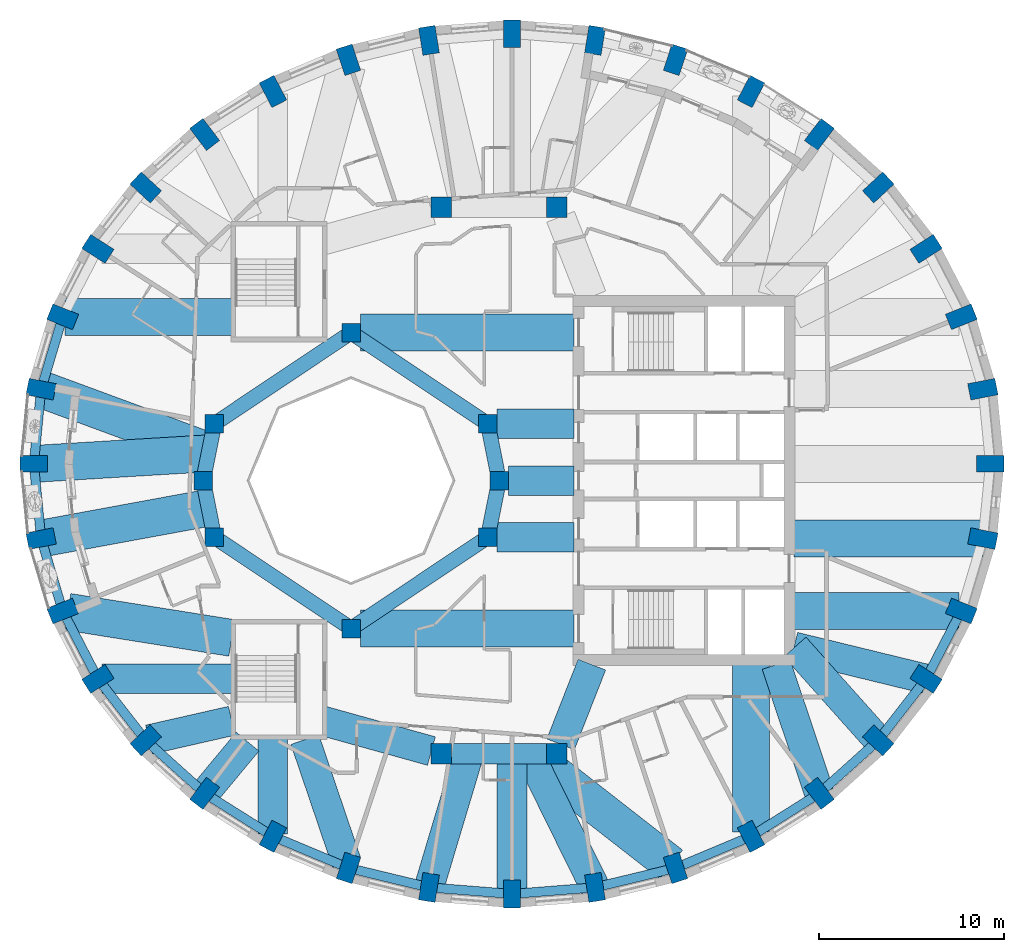
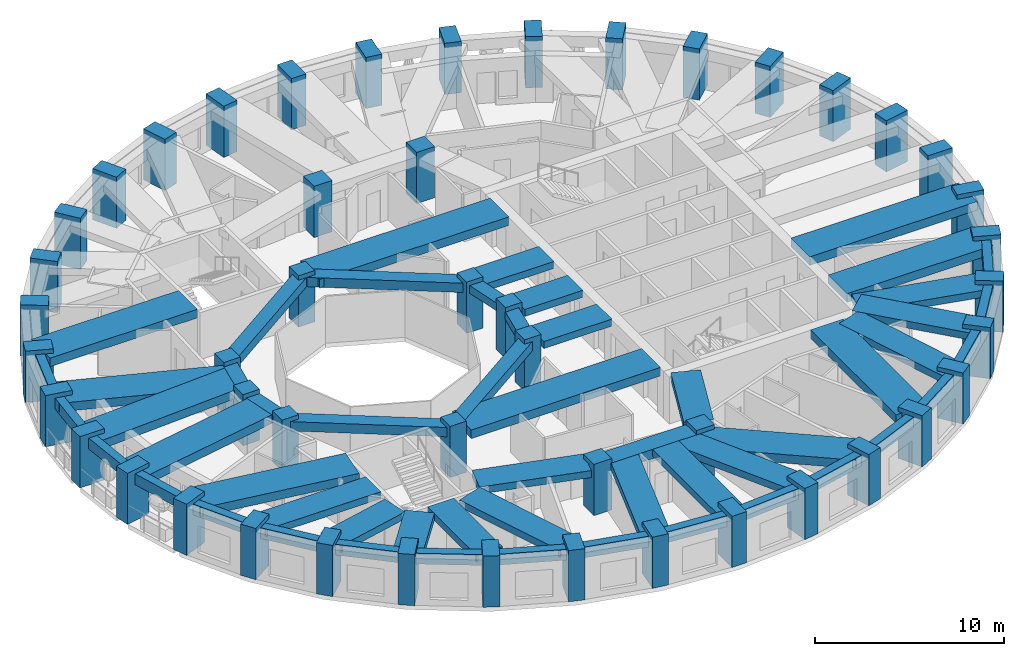
# One storey, part 1 of 12: 54 beams, 48 columns.
"""IFC4 building model written with IfcOpenShell, lengths in metres."""

from ifc_helpers import new_model, si_unit, direction, frame, origin, origin_2d, place, context, subcontext, project, spatial, rectangle, extrude, material, material_profile, profile_set, type_object, element, save


model = new_model("IFC4")

# Units and contexts
model_context = context("Model", 3, precision=1e-05, world=origin(), true_north=direction((0.0, 1.0)))
body_context = subcontext(model_context, "Body", "Model", "MODEL_VIEW")
ifc_project = project(units=[si_unit("LENGTHUNIT", "METRE"), si_unit("AREAUNIT", "SQUARE_METRE"), si_unit("VOLUMEUNIT", "CUBIC_METRE"), si_unit("PLANEANGLEUNIT", "RADIAN"), si_unit("MASSUNIT", "GRAM", prefix="KILO")], contexts=[model_context])

# Site, building, storey
site_placement = place(None, origin())
site = spatial("IfcSite", under=ifc_project, at=site_placement, CompositionType="ELEMENT")
building_placement = place(site_placement, origin())
building = spatial("IfcBuilding", under=site, at=building_placement, Name="Taillehof Tower", CompositionType="ELEMENT")
storey_placement = place(building_placement, frame((0.0, 0.0, 195.800048828125)))
storey = spatial("IfcBuildingStorey", under=building, at=storey_placement, Name="L55", CompositionType="ELEMENT", Elevation=195.800048828125)

# Columns
ifc_material_1 = material(Name="Concrete C50/60", Category="concrete")
ifc_material_profile_1 = material_profile(ifc_material_1, rectangle(XDim=1.0, YDim=1.0, at=origin_2d()), Name="RC 1000x1000")
ifc_profile_set_1 = profile_set([ifc_material_profile_1], Name="Concrete C50/60")
column_type_1 = type_object("IfcColumnType", Name="Atrium ring column C50/60 1000x1000", PredefinedType="COLUMN", material=ifc_profile_set_1)
for number, where, z_axis, x_axis, name in (
    (1, (0.0, 0.0, 0.0), (0.0, 0.0, 1.0), (1.0, 0.0, 0.0), "Column AC01"),
    (2, (-0.60888671875, 3.0615234375, 0.0), (0.0, 0.0, 1.0), (1.0, 0.0, 0.0), "Column AC02"),
    (3, (-8.0, 8.0, 0.0), (0.0, 0.0, 1.0), (1.0, 0.0, 0.0), "Column AC05"),
    (4, (-15.39111328125, 3.0615234375, 0.0), (0.0, 0.0, 1.0), (1.0, 0.0, 0.0), "Column AC08"),
    (5, (-16.0, 0.0, 0.0), (0.0, 0.0, 1.0), (1.0, 0.0, 0.0), "Column AC09"),
    (6, (-15.39111328125, -3.0615234375, 0.0), (0.0, 0.0, 1.0), (1.0, 0.0, 0.0), "Column AC10"),
    (7, (-8.0, -8.0, 0.0), (0.0, 0.0, 1.0), (1.0, 0.0, 0.0), "Column AC13"),
    (8, (-0.60888671875, -3.0615234375, 0.0), (0.0, 0.0, 1.0), (1.0, 0.0, 0.0), "Column AC16"),
):
    element("IfcColumn", number, at=place(storey_placement, frame(where, z_axis=z_axis, x_axis=x_axis)), inside=storey, type_object=column_type_1, Name=name, PredefinedType="COLUMN", context=body_context, shape_type="SweptSolid", body=[
        extrude(rectangle(XDim=1.0, YDim=1.0, at=origin_2d()), origin(), (0.0, 0.0, 1.0), 3.300048828125),
    ])
ifc_material_2 = material(Name="Concrete C50/60", Category="concrete")
ifc_material_profile_2 = material_profile(ifc_material_2, rectangle(XDim=1.10009765625, YDim=1.10009765625, at=origin_2d()), Name="RC 1100x1100")
ifc_profile_set_2 = profile_set([ifc_material_profile_2], Name="Concrete C50/60")
column_type_2 = type_object("IfcColumnType", Name="Mid-ring column C50/60 1100x1100", PredefinedType="COLUMN", material=ifc_profile_set_2)
for number, where, z_axis, x_axis, name in (
    (9, (3.125732421875, 14.772216796875, 0.0), (0.0, 0.0, 1.0), (1.0, 0.0, 0.0), "Column MC05"),
    (10, (-3.125732421875, 14.772216796875, 0.0), (0.0, 0.0, 1.0), (1.0, 0.0, 0.0), "Column MC06"),
    (11, (-3.125732421875, -14.772216796875, 0.0), (0.0, 0.0, 1.0), (1.0, 0.0, 0.0), "Column MC14"),
    (12, (3.125732421875, -14.772216796875, 0.0), (0.0, 0.0, 1.0), (1.0, 0.0, 0.0), "Column MC15"),
):
    element("IfcColumn", number, at=place(storey_placement, frame(where, z_axis=z_axis, x_axis=x_axis)), inside=storey, type_object=column_type_2, Name=name, PredefinedType="COLUMN", context=body_context, shape_type="SweptSolid", body=[
        extrude(rectangle(XDim=1.10009765625, YDim=1.10009765625, at=origin_2d()), origin(), (0.0, 0.0, 1.0), 3.300048828125),
    ])
ifc_material_3 = material(Name="Concrete C60/75", Category="concrete")
ifc_material_profile_3 = material_profile(ifc_material_3, rectangle(XDim=1.5, YDim=0.89990234375, at=origin_2d()), Name="RC 1500x900")
ifc_profile_set_3 = profile_set([ifc_material_profile_3], Name="Concrete C60/75")
column_type_3 = type_object("IfcColumnType", Name="Ring column C60/75 1500x900", PredefinedType="COLUMN", material=ifc_profile_set_3)
for number, where, z_axis, x_axis, name in (
    (13, (26.550048828125, 0.89990234375, 0.0), (0.0, 0.0, 1.0), (1.0, 0.0, 0.0), "Ring column RC01"),
    (14, (26.1572265625, 4.937255859375, 0.0), (0.0, 0.0, 1.0), (0.981433894538, 0.191800705555, 0.0), "Ring column RC02"),
    (15, (24.990966796875, 8.85205078125, 0.0), (0.0, 0.0, 1.0), (0.927385290523, 0.374107635477, 0.0), "Ring column RC03"),
    (16, (23.086669921875, 12.52490234375, 0.0), (0.0, 0.0, 1.0), (0.84231094199, 0.538991908107, 0.0), "Ring column RC04"),
    (17, (20.502197265625, 15.8447265625, 0.0), (0.0, 0.0, 1.0), (0.732270888356, 0.681013469813, 0.0), "Ring column RC05"),
    (18, (17.316162109375, 18.71044921875, 0.0), (0.0, 0.0, 1.0), (0.60360770772, 0.797281465469, 0.0), "Ring column RC06"),
    (19, (13.625, 21.03515625, 0.0), (0.0, 0.0, 1.0), (0.461993199576, 0.886883466722, 0.0), "Ring column RC07"),
    (20, (9.541259765625, 22.747802734375, 0.0), (0.0, 0.0, 1.0), (0.312001306843, 0.950081672557, 0.0), "Ring column RC08"),
    (21, (5.188720703125, 23.796875, 0.0), (0.0, 0.0, 1.0), (0.157116034607, 0.987580149491, 0.0), "Ring column RC09"),
    (22, (0.699951171875, 24.14990234375, 0.0), (0.0, 0.0, 1.0), (0.0, 1.0, 0.0), "Ring column RC10"),
    (23, (-3.788818359375, 23.796875, 0.0), (0.0, 0.0, 1.0), (-0.157116034607, 0.987580149491, 0.0), "Ring column RC11"),
    (24, (-8.14111328125, 22.747802734375, 0.0), (0.0, 0.0, 1.0), (-0.312001306843, 0.950081672557, 0.0), "Ring column RC12"),
    (25, (-12.22509765625, 21.03515625, 0.0), (0.0, 0.0, 1.0), (-0.461993199576, 0.886883466722, 0.0), "Ring column RC13"),
    (26, (-15.916015625, 18.71044921875, 0.0), (0.0, 0.0, 1.0), (-0.60360770772, 0.797281465469, 0.0), "Ring column RC14"),
    (27, (-19.102294921875, 15.8447265625, 0.0), (0.0, 0.0, 1.0), (-0.732270888356, 0.681013469813, 0.0), "Ring column RC15"),
    (28, (-21.686767578125, 12.52490234375, 0.0), (0.0, 0.0, 1.0), (-0.84231094199, 0.538991908107, 0.0), "Ring column RC16"),
    (29, (-23.591064453125, 8.85205078125, 0.0), (0.0, 0.0, 1.0), (-0.927385290523, 0.374107635477, 0.0), "Ring column RC17"),
    (30, (-24.75732421875, 4.937255859375, 0.0), (0.0, 0.0, 1.0), (-0.981433894538, 0.191800705555, 0.0), "Ring column RC18"),
    (31, (-25.14990234375, 0.89990234375, 0.0), (0.0, 0.0, 1.0), (-1.0, 0.0, 0.0), "Ring column RC19"),
    (32, (-24.75732421875, -3.13720703125, 0.0), (0.0, 0.0, 1.0), (-0.981433894538, -0.191800705555, 0.0), "Ring column RC20"),
    (33, (-23.591064453125, -7.052001953125, 0.0), (0.0, 0.0, 1.0), (-0.927385290523, -0.374107635477, 0.0), "Ring column RC21"),
    (34, (-21.686767578125, -10.72509765625, 0.0), (0.0, 0.0, 1.0), (-0.84231094199, -0.538991908107, 0.0), "Ring column RC22"),
    (35, (-19.102294921875, -14.044921875, 0.0), (0.0, 0.0, 1.0), (-0.732270888356, -0.681013469813, 0.0), "Ring column RC23"),
    (36, (-15.916015625, -16.91064453125, 0.0), (0.0, 0.0, 1.0), (-0.60360770772, -0.797281465469, 0.0), "Ring column RC24"),
    (37, (-12.22509765625, -19.235107421875, 0.0), (0.0, 0.0, 1.0), (-0.461993199576, -0.886883466722, 0.0), "Ring column RC25"),
    (38, (-8.14111328125, -20.94775390625, 0.0), (0.0, 0.0, 1.0), (-0.312001306843, -0.950081672557, 0.0), "Ring column RC26"),
    (39, (-3.788818359375, -21.996826171875, 0.0), (0.0, 0.0, 1.0), (-0.157116034607, -0.987580149491, 0.0), "Ring column RC27"),
    (40, (0.699951171875, -22.35009765625, 0.0), (0.0, 0.0, 1.0), (0.0, -1.0, 0.0), "Ring column RC28"),
    (41, (5.188720703125, -21.996826171875, 0.0), (0.0, 0.0, 1.0), (0.157116034607, -0.987580149491, 0.0), "Ring column RC29"),
    (42, (9.541259765625, -20.94775390625, 0.0), (0.0, 0.0, 1.0), (0.312001306843, -0.950081672557, 0.0), "Ring column RC30"),
    (43, (13.625, -19.235107421875, 0.0), (0.0, 0.0, 1.0), (0.461993199576, -0.886883466722, 0.0), "Ring column RC31"),
    (44, (17.316162109375, -16.91064453125, 0.0), (0.0, 0.0, 1.0), (0.60360770772, -0.797281465469, 0.0), "Ring column RC32"),
    (45, (20.502197265625, -14.044921875, 0.0), (0.0, 0.0, 1.0), (0.732270888356, -0.681013469813, 0.0), "Ring column RC33"),
    (46, (23.086669921875, -10.72509765625, 0.0), (0.0, 0.0, 1.0), (0.84231094199, -0.538991908107, 0.0), "Ring column RC34"),
    (47, (24.990966796875, -7.052001953125, 0.0), (0.0, 0.0, 1.0), (0.927385290523, -0.374107635477, 0.0), "Ring column RC35"),
    (48, (26.1572265625, -3.13720703125, 0.0), (0.0, 0.0, 1.0), (0.981433894538, -0.191800705555, 0.0), "Ring column RC36"),
):
    element("IfcColumn", number, at=place(storey_placement, frame(where, z_axis=z_axis, x_axis=x_axis)), inside=storey, type_object=column_type_3, Name=name, PredefinedType="COLUMN", context=body_context, shape_type="SweptSolid", body=[
        extrude(rectangle(XDim=1.5, YDim=0.89990234375, at=origin_2d()), origin(), (0.0, 0.0, 1.0), 3.300048828125),
    ])

# Beams
ifc_material_4 = material(Name="Concrete C50/60", Category="concrete")
ifc_material_profile_4 = material_profile(ifc_material_4, rectangle(XDim=0.800048828125, YDim=0.5, at=origin_2d()), Name="RC 800x500")
ifc_profile_set_4 = profile_set([ifc_material_profile_4], Name="Concrete C50/60")
beam_type_1 = type_object("IfcBeamType", Name="Atrium ring beam C50/60 800x500", PredefinedType="BEAM", material=ifc_profile_set_4)
for number, where, z_axis, x_axis, name in (
    (49, (0.0, 0.0, 2.77001953125), (-0.195063155143, 0.980790683839, 0.0), (-0.980790683839, -0.195063155143, 0.0), "Atrium ring beam AB01"),
    (50, (-15.39111328125, 3.0615234375, 2.77001953125), (-0.195063155143, -0.980790683839, 0.0), (0.980790683839, -0.195063155143, 0.0), "Atrium ring beam AB04"),
    (51, (-16.0, 0.0, 2.77001953125), (0.195063155143, -0.980790683839, 0.0), (0.980790683839, 0.195063155143, 0.0), "Atrium ring beam AB05"),
    (52, (-0.60888671875, -3.0615234375, 2.77001953125), (0.195063155143, 0.980790683839, 0.0), (-0.980790683839, 0.195063155143, 0.0), "Atrium ring beam AB08"),
):
    element("IfcBeam", number, at=place(storey_placement, frame(where, z_axis=z_axis, x_axis=x_axis)), inside=storey, type_object=beam_type_1, Name=name, PredefinedType="BEAM", context=body_context, shape_type="SweptSolid", body=[
        extrude(rectangle(XDim=0.800048828125, YDim=0.5, at=origin_2d()), origin(), (0.0, 0.0, 1.0), 3.12158203125),
    ])
ifc_material_5 = material(Name="Concrete C50/60", Category="concrete")
ifc_material_profile_5 = material_profile(ifc_material_5, rectangle(XDim=0.800048828125, YDim=0.60009765625, at=origin_2d()), Name="RC 800x600")
ifc_profile_set_5 = profile_set([ifc_material_profile_5], Name="Concrete C50/60")
beam_type_2 = type_object("IfcBeamType", Name="Atrium ring beam C50/60 800x600", PredefinedType="BEAM", material=ifc_profile_set_5)
for number, where, z_axis, x_axis, name in (
    (53, (-0.60888671875, 3.0615234375, 2.719970703125), (-0.831475195687, 0.555561876804, 0.0), (-0.555561876804, -0.831475195687, 0.0), "Atrium ring beam AB02"),
    (54, (-8.0, 8.0, 2.719970703125), (-0.831475195687, -0.555561876804, 0.0), (0.555561876804, -0.831475195687, 0.0), "Atrium ring beam AB03"),
    (55, (-15.39111328125, -3.0615234375, 2.719970703125), (0.831475195687, -0.555561876804, 0.0), (0.555561876804, 0.831475195687, 0.0), "Atrium ring beam AB06"),
    (56, (-8.0, -8.0, 2.719970703125), (0.831475195687, 0.555561876804, 0.0), (-0.555561876804, 0.831475195687, 0.0), "Atrium ring beam AB07"),
):
    element("IfcBeam", number, at=place(storey_placement, frame(where, z_axis=z_axis, x_axis=x_axis)), inside=storey, type_object=beam_type_2, Name=name, PredefinedType="BEAM", context=body_context, shape_type="SweptSolid", body=[
        extrude(rectangle(XDim=0.800048828125, YDim=0.60009765625, at=origin_2d()), origin(), (0.0, 0.0, 1.0), 8.88916015625),
    ])
ifc_material_6 = material(Name="Concrete C50/60", Category="concrete")
ifc_material_profile_6 = material_profile(ifc_material_6, rectangle(XDim=1.10009765625, YDim=0.60009765625, at=origin_2d()), Name="RC 1100x600")
ifc_profile_set_6 = profile_set([ifc_material_profile_6], Name="Concrete C50/60")
beam_type_3 = type_object("IfcBeamType", Name="Mid-ring beam C50/60 1100x600", PredefinedType="BEAM", material=ifc_profile_set_6)
beam_1_placement = place(storey_placement, frame((-3.125732421875, -14.772216796875, 2.719970703125), z_axis=(1.0, 0.0, 0.0), x_axis=(0.0, 1.0, 0.0)))
element("IfcBeam", 57, at=beam_1_placement, inside=storey, type_object=beam_type_3, Name="Mid-ring beam MB02", PredefinedType="BEAM", context=body_context, shape_type="SweptSolid", body=[
    extrude(rectangle(XDim=1.10009765625, YDim=0.60009765625, at=origin_2d()), origin(), (0.0, 0.0, 1.0), 6.25146484375),
])
ifc_material_7 = material(Name="Concrete C50/60", Category="concrete")
ifc_material_profile_7 = material_profile(ifc_material_7, rectangle(XDim=1.60009765625, YDim=0.449951171875, at=origin_2d()), Name="RC 1600x450")
ifc_profile_set_7 = profile_set([ifc_material_profile_7], Name="Concrete C50/60")
beam_type_4 = type_object("IfcBeamType", Name="Radial band beam C50/60 1600x450", PredefinedType="BEAM", material=ifc_profile_set_7)
beam_2_placement = place(storey_placement, frame((-21.47021484375, -10.72509765625, 2.794921875), z_axis=(1.0, 0.0, 0.0), x_axis=(0.0, 1.0, 0.0)))
element("IfcBeam", 58, at=beam_2_placement, inside=storey, type_object=beam_type_4, Name="Radial band beam RB22", PredefinedType="BEAM", context=body_context, shape_type="SweptSolid", body=[
    extrude(rectangle(XDim=1.60009765625, YDim=0.449951171875, at=origin_2d()), origin(), (0.0, 0.0, 1.0), 7.020263671875),
])
beam_3_placement = place(storey_placement, frame((-18.929931640625, -14.005615234375, 2.794921875), z_axis=(0.975193914537, 0.221352273651, 0.0), x_axis=(-0.221352273651, 0.975193914537, 0.0)))
element("IfcBeam", 59, at=beam_3_placement, inside=storey, type_object=beam_type_4, Name="Radial band beam RB23", PredefinedType="BEAM", context=body_context, shape_type="SweptSolid", body=[
    extrude(rectangle(XDim=1.60009765625, YDim=0.449951171875, at=origin_2d()), origin(), (0.0, 0.0, 1.0), 4.5927734375),
])
beam_4_placement = place(storey_placement, frame((-15.916015625, -16.91064453125, 2.794921875), z_axis=(0.638722345868, 0.769437304066, 0.0), x_axis=(-0.769437304066, 0.638722345868, 0.0)))
element("IfcBeam", 60, at=beam_4_placement, inside=storey, type_object=beam_type_4, Name="Radial band beam RB24", PredefinedType="BEAM", context=body_context, shape_type="SweptSolid", body=[
    extrude(rectangle(XDim=1.60009765625, YDim=0.449951171875, at=origin_2d()), origin(), (0.0, 0.0, 1.0), 3.6328125),
])
beam_5_placement = place(storey_placement, frame((-12.22509765625, -19.101318359375, 2.794921875), z_axis=(0.0, 1.0, 0.0), x_axis=(-1.0, 0.0, 0.0)))
element("IfcBeam", 61, at=beam_5_placement, inside=storey, type_object=beam_type_4, Name="Radial band beam RB25", PredefinedType="BEAM", context=body_context, shape_type="SweptSolid", body=[
    extrude(rectangle(XDim=1.60009765625, YDim=0.449951171875, at=origin_2d()), origin(), (0.0, 0.0, 1.0), 5.1513671875),
])
beam_6_placement = place(storey_placement, frame((-8.233642578125, -20.675537109375, 2.794921875), z_axis=(-0.321475101084, 0.94691803203, 0.0), x_axis=(-0.94691803203, -0.321475101084, 0.0)))
element("IfcBeam", 62, at=beam_6_placement, inside=storey, type_object=beam_type_4, Name="Radial band beam RB26", PredefinedType="BEAM", context=body_context, shape_type="SweptSolid", body=[
    extrude(rectangle(XDim=1.60009765625, YDim=0.449951171875, at=origin_2d()), origin(), (0.0, 0.0, 1.0), 7.042236328125),
])
beam_7_placement = place(storey_placement, frame((-3.788818359375, -21.996826171875, 2.794921875), z_axis=(0.286825122153, 0.957982958774, 0.0), x_axis=(-0.957982958774, 0.286825122153, 0.0)))
element("IfcBeam", 63, at=beam_7_placement, inside=storey, type_object=beam_type_4, Name="Radial band beam RB27", PredefinedType="BEAM", context=body_context, shape_type="SweptSolid", body=[
    extrude(rectangle(XDim=1.60009765625, YDim=0.449951171875, at=origin_2d()), origin(), (0.0, 0.0, 1.0), 7.54150390625),
])
beam_8_placement = place(storey_placement, frame((0.699951171875, -22.35009765625, 2.794921875), z_axis=(0.0, 1.0, 0.0), x_axis=(-1.0, 0.0, 0.0)))
element("IfcBeam", 64, at=beam_8_placement, inside=storey, type_object=beam_type_4, Name="Radial band beam RB28", PredefinedType="BEAM", context=body_context, shape_type="SweptSolid", body=[
    extrude(rectangle(XDim=1.60009765625, YDim=0.449951171875, at=origin_2d()), origin(), (0.0, 0.0, 1.0), 7.577880859375),
])
beam_9_placement = place(storey_placement, frame((5.188720703125, -21.996826171875, 2.794921875), z_axis=(-0.442309181818, 0.896862635903, 0.0), x_axis=(-0.896862635903, -0.442309181818, 0.0)))
element("IfcBeam", 65, at=beam_9_placement, inside=storey, type_object=beam_type_4, Name="Radial band beam RB29", PredefinedType="BEAM", context=body_context, shape_type="SweptSolid", body=[
    extrude(rectangle(XDim=1.60009765625, YDim=0.449951171875, at=origin_2d()), origin(), (0.0, 0.0, 1.0), 8.055419921875),
])
beam_10_placement = place(storey_placement, frame((17.314697265625, -16.906494140625, 2.794921875), z_axis=(-0.317775276173, 0.948166058164, 0.0), x_axis=(-0.948166058164, -0.317775276173, 0.0)))
element("IfcBeam", 66, at=beam_10_placement, inside=storey, type_object=beam_type_4, Name="Radial band beam RB32", PredefinedType="BEAM", context=body_context, shape_type="SweptSolid", body=[
    extrude(rectangle(XDim=1.60009765625, YDim=0.449951171875, at=origin_2d()), origin(), (0.0, 0.0, 1.0), 7.333984375),
])
beam_11_placement = place(storey_placement, frame((20.502197265625, -14.044921875, 2.794921875), z_axis=(-0.665845101725, 0.746090008316, 0.0), x_axis=(-0.746090008316, -0.665845101725, 0.0)))
element("IfcBeam", 67, at=beam_11_placement, inside=storey, type_object=beam_type_4, Name="Radial band beam RB33", PredefinedType="BEAM", context=body_context, shape_type="SweptSolid", body=[
    extrude(rectangle(XDim=1.60009765625, YDim=0.449951171875, at=origin_2d()), origin(), (0.0, 0.0, 1.0), 6.766357421875),
])
beam_12_placement = place(storey_placement, frame((23.07568359375, -10.722412109375, 2.794921875), z_axis=(-0.971629977108, 0.236506210459, 0.0), x_axis=(-0.236506210459, -0.971629977108, 0.0)))
element("IfcBeam", 68, at=beam_12_placement, inside=storey, type_object=beam_type_4, Name="Radial band beam RB34", PredefinedType="BEAM", context=body_context, shape_type="SweptSolid", body=[
    extrude(rectangle(XDim=1.60009765625, YDim=0.449951171875, at=origin_2d()), origin(), (0.0, 0.0, 1.0), 7.332275390625),
])
beam_13_placement = place(storey_placement, frame((0.5, 0.0, 2.794921875), z_axis=(1.0, 0.0, 0.0), x_axis=(0.0, 1.0, 0.0)))
element("IfcBeam", 69, at=beam_13_placement, inside=storey, type_object=beam_type_4, Name="Inner band beam IB101", PredefinedType="BEAM", context=body_context, shape_type="SweptSolid", body=[
    extrude(rectangle(XDim=1.60009765625, YDim=0.449951171875, at=origin_2d()), origin(), (0.0, 0.0, 1.0), 3.550048828125),
])
for number, where, z_axis, x_axis, name in (
    (70, (-0.10888671875, 3.0615234375, 2.794921875), (1.0, 0.0, 0.0), (0.0, 1.0, 0.0), "Inner band beam IB102"),
    (71, (-0.10888671875, -3.0615234375, 2.794921875), (1.0, 0.0, 0.0), (0.0, 1.0, 0.0), "Inner band beam IB116"),
):
    element("IfcBeam", number, at=place(storey_placement, frame(where, z_axis=z_axis, x_axis=x_axis)), inside=storey, type_object=beam_type_4, Name=name, PredefinedType="BEAM", context=body_context, shape_type="SweptSolid", body=[
        extrude(rectangle(XDim=1.60009765625, YDim=0.449951171875, at=origin_2d()), origin(), (0.0, 0.0, 1.0), 4.158935546875),
    ])
beam_14_placement = place(storey_placement, frame((-3.655517578125, -14.624755859375, 2.794921875), z_axis=(-0.963459369536, 0.267854518821, 0.0), x_axis=(-0.267854518821, -0.963459369536, 0.0)))
element("IfcBeam", 72, at=beam_14_placement, inside=storey, type_object=beam_type_4, Name="Inner band beam IB214", PredefinedType="BEAM", context=body_context, shape_type="SweptSolid", body=[
    extrude(rectangle(XDim=1.60009765625, YDim=0.449951171875, at=origin_2d()), origin(), (0.0, 0.0, 1.0), 6.096923828125),
])
beam_15_placement = place(storey_placement, frame((3.32666015625, -14.26025390625, 2.794921875), z_axis=(0.365588707223, 0.930776502255, 0.0), x_axis=(-0.930776502255, 0.365588707223, 0.0)))
element("IfcBeam", 73, at=beam_15_placement, inside=storey, type_object=beam_type_4, Name="Inner band beam IB215", PredefinedType="BEAM", context=body_context, shape_type="SweptSolid", body=[
    extrude(rectangle(XDim=1.60009765625, YDim=0.449951171875, at=origin_2d()), origin(), (0.0, 0.0, 1.0), 4.627197265625),
])
ifc_material_8 = material(Name="Concrete C50/60", Category="concrete")
ifc_material_profile_8 = material_profile(ifc_material_8, rectangle(XDim=2.0, YDim=0.550048828125, at=origin_2d()), Name="RC 2000x550")
ifc_profile_set_8 = profile_set([ifc_material_profile_8], Name="Concrete C50/60")
beam_type_5 = type_object("IfcBeamType", Name="Radial band beam C50/60 2000x550", PredefinedType="BEAM", material=ifc_profile_set_8)
beam_16_placement = place(storey_placement, frame((-23.4560546875, 8.85205078125, 2.744873046875), z_axis=(1.0, 0.0, 0.0), x_axis=(0.0, 1.0, 0.0)))
element("IfcBeam", 74, at=beam_16_placement, inside=storey, type_object=beam_type_5, Name="Radial band beam RB17", PredefinedType="BEAM", context=body_context, shape_type="SweptSolid", body=[
    extrude(rectangle(XDim=2.0, YDim=0.550048828125, at=origin_2d()), origin(), (0.0, 0.0, 1.0), 9.006103515625),
])
beam_17_placement = place(storey_placement, frame((-24.75732421875, 4.937255859375, 2.744873046875), z_axis=(0.938209870924, -0.346066811615, 0.0), x_axis=(0.346066811615, 0.938209870924, 0.0)))
element("IfcBeam", 75, at=beam_17_placement, inside=storey, type_object=beam_type_5, Name="Radial band beam RB18", PredefinedType="BEAM", context=body_context, shape_type="SweptSolid", body=[
    extrude(rectangle(XDim=2.0, YDim=0.550048828125, at=origin_2d()), origin(), (0.0, 0.0, 1.0), 9.67138671875),
])
beam_18_placement = place(storey_placement, frame((-25.14990234375, 0.89990234375, 2.744873046875), z_axis=(0.998174819199, 0.060390647592, 0.0), x_axis=(-0.060390647592, 0.998174819199, 0.0)))
element("IfcBeam", 76, at=beam_18_placement, inside=storey, type_object=beam_type_5, Name="Radial band beam RB19", PredefinedType="BEAM", context=body_context, shape_type="SweptSolid", body=[
    extrude(rectangle(XDim=2.0, YDim=0.550048828125, at=origin_2d()), origin(), (0.0, 0.0, 1.0), 9.4599609375),
])
beam_19_placement = place(storey_placement, frame((-24.75732421875, -3.13720703125, 2.744873046875), z_axis=(0.983474452744, 0.181046957445, 0.0), x_axis=(-0.181046957445, 0.983474452744, 0.0)))
element("IfcBeam", 77, at=beam_19_placement, inside=storey, type_object=beam_type_5, Name="Radial band beam RB20", PredefinedType="BEAM", context=body_context, shape_type="SweptSolid", body=[
    extrude(rectangle(XDim=2.0, YDim=0.550048828125, at=origin_2d()), origin(), (0.0, 0.0, 1.0), 9.2021484375),
])
beam_20_placement = place(storey_placement, frame((-23.3076171875, -7.09716796875, 2.744873046875), z_axis=(0.987552836313, -0.157287620272, 0.0), x_axis=(0.157287620272, 0.987552836313, 0.0)))
element("IfcBeam", 78, at=beam_20_placement, inside=storey, type_object=beam_type_5, Name="Radial band beam RB21", PredefinedType="BEAM", context=body_context, shape_type="SweptSolid", body=[
    extrude(rectangle(XDim=2.0, YDim=0.550048828125, at=origin_2d()), origin(), (0.0, 0.0, 1.0), 8.968505859375),
])
beam_21_placement = place(storey_placement, frame((9.3076171875, -20.765625, 2.744873046875), z_axis=(-0.788425359087, 0.615130435882, 0.0), x_axis=(-0.615130435882, -0.788425359087, 0.0)))
element("IfcBeam", 79, at=beam_21_placement, inside=storey, type_object=beam_type_5, Name="Radial band beam RB30", PredefinedType="BEAM", context=body_context, shape_type="SweptSolid", body=[
    extrude(rectangle(XDim=2.0, YDim=0.550048828125, at=origin_2d()), origin(), (0.0, 0.0, 1.0), 9.35595703125),
])
beam_22_placement = place(storey_placement, frame((13.625, -18.99755859375, 2.744873046875), z_axis=(0.0, 1.0, 0.0), x_axis=(-1.0, 0.0, 0.0)))
element("IfcBeam", 80, at=beam_22_placement, inside=storey, type_object=beam_type_5, Name="Radial band beam RB31", PredefinedType="BEAM", context=body_context, shape_type="SweptSolid", body=[
    extrude(rectangle(XDim=2.0, YDim=0.550048828125, at=origin_2d()), origin(), (0.0, 0.0, 1.0), 9.047607421875),
])
beam_23_placement = place(storey_placement, frame((24.856201171875, -7.052001953125, 2.744873046875), z_axis=(-1.0, 0.0, 0.0), x_axis=(0.0, -1.0, 0.0)))
element("IfcBeam", 81, at=beam_23_placement, inside=storey, type_object=beam_type_5, Name="Radial band beam RB35", PredefinedType="BEAM", context=body_context, shape_type="SweptSolid", body=[
    extrude(rectangle(XDim=2.0, YDim=0.550048828125, at=origin_2d()), origin(), (0.0, 0.0, 1.0), 8.90625),
])
beam_24_placement = place(storey_placement, frame((26.1572265625, -3.13720703125, 2.744873046875), z_axis=(-1.0, 0.0, 0.0), x_axis=(0.0, -1.0, 0.0)))
element("IfcBeam", 82, at=beam_24_placement, inside=storey, type_object=beam_type_5, Name="Radial band beam RB36", PredefinedType="BEAM", context=body_context, shape_type="SweptSolid", body=[
    extrude(rectangle(XDim=2.0, YDim=0.550048828125, at=origin_2d()), origin(), (0.0, 0.0, 1.0), 10.207275390625),
])
for number, where, z_axis, x_axis, name in (
    (83, (-7.5, 8.0, 2.744873046875), (1.0, 0.0, 0.0), (0.0, 1.0, 0.0), "Inner band beam IB105"),
    (84, (-7.5, -8.0, 2.744873046875), (1.0, 0.0, 0.0), (0.0, 1.0, 0.0), "Inner band beam IB113"),
):
    element("IfcBeam", number, at=place(storey_placement, frame(where, z_axis=z_axis, x_axis=x_axis)), inside=storey, type_object=beam_type_5, Name=name, PredefinedType="BEAM", context=body_context, shape_type="SweptSolid", body=[
        extrude(rectangle(XDim=2.0, YDim=0.550048828125, at=origin_2d()), origin(), (0.0, 0.0, 1.0), 11.550048828125),
    ])
ifc_material_9 = material(Name="Concrete C50/60", Category="concrete")
ifc_material_profile_9 = material_profile(ifc_material_9, rectangle(XDim=0.5, YDim=0.699951171875, at=origin_2d()), Name="RC 500x700")
ifc_profile_set_9 = profile_set([ifc_material_profile_9], Name="Concrete C50/60")
beam_type_6 = type_object("IfcBeamType", Name="Spandrel beam C50/60 500x700", PredefinedType="SPANDREL", material=ifc_profile_set_9)
beam_25_placement = place(storey_placement, frame((-23.591064453125, 8.85205078125, 2.669921875), z_axis=(-0.285510458946, -0.9583755933, 0.0), x_axis=(0.9583755933, -0.285510458946, 0.0)))
element("IfcBeam", 85, at=beam_25_placement, inside=storey, type_object=beam_type_6, Name="Spandrel beam SB17", PredefinedType="SPANDREL", context=body_context, shape_type="SweptSolid", body=[
    extrude(rectangle(XDim=0.5, YDim=0.699951171875, at=origin_2d()), origin(), (0.0, 0.0, 1.0), 4.084716796875),
])
beam_26_placement = place(storey_placement, frame((-24.75732421875, 4.937255859375, 2.669921875), z_axis=(-0.096780051712, -0.995305793006, 0.0), x_axis=(0.995305793006, -0.096780051712, 0.0)))
element("IfcBeam", 86, at=beam_26_placement, inside=storey, type_object=beam_type_6, Name="Spandrel beam SB18", PredefinedType="SPANDREL", context=body_context, shape_type="SweptSolid", body=[
    extrude(rectangle(XDim=0.5, YDim=0.699951171875, at=origin_2d()), origin(), (0.0, 0.0, 1.0), 4.056396484375),
])
beam_27_placement = place(storey_placement, frame((-25.14990234375, 0.89990234375, 2.669921875), z_axis=(0.096785849576, -0.995305229225, 0.0), x_axis=(0.995305229225, 0.096785849576, 0.0)))
element("IfcBeam", 87, at=beam_27_placement, inside=storey, type_object=beam_type_6, Name="Spandrel beam SB19", PredefinedType="SPANDREL", context=body_context, shape_type="SweptSolid", body=[
    extrude(rectangle(XDim=0.5, YDim=0.699951171875, at=origin_2d()), origin(), (0.0, 0.0, 1.0), 4.05615234375),
])
beam_28_placement = place(storey_placement, frame((-24.75732421875, -3.13720703125, 2.669921875), z_axis=(0.285510458946, -0.9583755933, 0.0), x_axis=(0.9583755933, 0.285510458946, 0.0)))
element("IfcBeam", 88, at=beam_28_placement, inside=storey, type_object=beam_type_6, Name="Spandrel beam SB20", PredefinedType="SPANDREL", context=body_context, shape_type="SweptSolid", body=[
    extrude(rectangle(XDim=0.5, YDim=0.699951171875, at=origin_2d()), origin(), (0.0, 0.0, 1.0), 4.084716796875),
])
beam_29_placement = place(storey_placement, frame((-23.591064453125, -7.052001953125, 2.669921875), z_axis=(0.460265491458, -0.887781322947, 0.0), x_axis=(0.887781322947, 0.460265491458, 0.0)))
element("IfcBeam", 89, at=beam_29_placement, inside=storey, type_object=beam_type_6, Name="Spandrel beam SB21", PredefinedType="SPANDREL", context=body_context, shape_type="SweptSolid", body=[
    extrude(rectangle(XDim=0.5, YDim=0.699951171875, at=origin_2d()), origin(), (0.0, 0.0, 1.0), 4.137451171875),
])
beam_30_placement = place(storey_placement, frame((-21.686767578125, -10.72509765625, 2.669921875), z_axis=(0.614294081938, -0.789077170432, 0.0), x_axis=(0.789077170432, 0.614294081938, 0.0)))
element("IfcBeam", 90, at=beam_30_placement, inside=storey, type_object=beam_type_6, Name="Spandrel beam SB22", PredefinedType="SPANDREL", context=body_context, shape_type="SweptSolid", body=[
    extrude(rectangle(XDim=0.5, YDim=0.699951171875, at=origin_2d()), origin(), (0.0, 0.0, 1.0), 4.207275390625),
])
beam_31_placement = place(storey_placement, frame((-19.102294921875, -14.044921875, 2.669921875), z_axis=(0.743517893617, -0.668716039789, 0.0), x_axis=(0.668716039789, 0.743517893617, 0.0)))
element("IfcBeam", 91, at=beam_31_placement, inside=storey, type_object=beam_type_6, Name="Spandrel beam SB23", PredefinedType="SPANDREL", context=body_context, shape_type="SweptSolid", body=[
    extrude(rectangle(XDim=0.5, YDim=0.699951171875, at=origin_2d()), origin(), (0.0, 0.0, 1.0), 4.285400390625),
])
beam_32_placement = place(storey_placement, frame((-15.916015625, -16.91064453125, 2.669921875), z_axis=(0.846175819179, -0.532903821564, 0.0), x_axis=(0.532903821564, 0.846175819179, 0.0)))
element("IfcBeam", 92, at=beam_32_placement, inside=storey, type_object=beam_type_6, Name="Spandrel beam SB24", PredefinedType="SPANDREL", context=body_context, shape_type="SweptSolid", body=[
    extrude(rectangle(XDim=0.5, YDim=0.699951171875, at=origin_2d()), origin(), (0.0, 0.0, 1.0), 4.36181640625),
])
beam_33_placement = place(storey_placement, frame((-12.22509765625, -19.235107421875, 2.669921875), z_axis=(0.922193747603, -0.386728188632, 0.0), x_axis=(0.386728188632, 0.922193747603, 0.0)))
element("IfcBeam", 93, at=beam_33_placement, inside=storey, type_object=beam_type_6, Name="Spandrel beam SB25", PredefinedType="SPANDREL", context=body_context, shape_type="SweptSolid", body=[
    extrude(rectangle(XDim=0.5, YDim=0.699951171875, at=origin_2d()), origin(), (0.0, 0.0, 1.0), 4.428466796875),
])
beam_34_placement = place(storey_placement, frame((-8.14111328125, -20.94775390625, 2.669921875), z_axis=(0.972157646478, -0.234327784087, 0.0), x_axis=(0.234327784087, 0.972157646478, 0.0)))
element("IfcBeam", 94, at=beam_34_placement, inside=storey, type_object=beam_type_6, Name="Spandrel beam SB26", PredefinedType="SPANDREL", context=body_context, shape_type="SweptSolid", body=[
    extrude(rectangle(XDim=0.5, YDim=0.699951171875, at=origin_2d()), origin(), (0.0, 0.0, 1.0), 4.47705078125),
])
for number, where, z_axis, x_axis, name in (
    (95, (-3.788818359375, -21.996826171875, 2.669921875), (0.996917374369, -0.078458579393, 0.0), (0.078458579393, 0.996917374369, 0.0), "Spandrel beam SB27"),
    (96, (0.699951171875, -22.35009765625, 2.669921875), (0.996917374369, 0.078458579393, 0.0), (-0.078458579393, 0.996917374369, 0.0), "Spandrel beam SB28"),
):
    element("IfcBeam", number, at=place(storey_placement, frame(where, z_axis=z_axis, x_axis=x_axis)), inside=storey, type_object=beam_type_6, Name=name, PredefinedType="SPANDREL", context=body_context, shape_type="SweptSolid", body=[
        extrude(rectangle(XDim=0.5, YDim=0.699951171875, at=origin_2d()), origin(), (0.0, 0.0, 1.0), 4.502685546875),
    ])
beam_35_placement = place(storey_placement, frame((5.188720703125, -21.996826171875, 2.669921875), z_axis=(0.972160640613, 0.234315361943, 0.0), x_axis=(-0.234315361943, 0.972160640613, 0.0)))
element("IfcBeam", 97, at=beam_35_placement, inside=storey, type_object=beam_type_6, Name="Spandrel beam SB29", PredefinedType="SPANDREL", context=body_context, shape_type="SweptSolid", body=[
    extrude(rectangle(XDim=0.5, YDim=0.699951171875, at=origin_2d()), origin(), (0.0, 0.0, 1.0), 4.477294921875),
])
beam_36_placement = place(storey_placement, frame((9.541259765625, -20.94775390625, 2.669921875), z_axis=(0.92218550199, 0.386747850569, 0.0), x_axis=(-0.386747850569, 0.92218550199, 0.0)))
element("IfcBeam", 98, at=beam_36_placement, inside=storey, type_object=beam_type_6, Name="Spandrel beam SB30", PredefinedType="SPANDREL", context=body_context, shape_type="SweptSolid", body=[
    extrude(rectangle(XDim=0.5, YDim=0.699951171875, at=origin_2d()), origin(), (0.0, 0.0, 1.0), 4.42822265625),
])
beam_37_placement = place(storey_placement, frame((13.625, -19.235107421875, 2.669921875), z_axis=(0.846191713174, 0.532878583314, 0.0), x_axis=(-0.532878583314, 0.846191713174, 0.0)))
element("IfcBeam", 99, at=beam_37_placement, inside=storey, type_object=beam_type_6, Name="Spandrel beam SB31", PredefinedType="SPANDREL", context=body_context, shape_type="SweptSolid", body=[
    extrude(rectangle(XDim=0.5, YDim=0.699951171875, at=origin_2d()), origin(), (0.0, 0.0, 1.0), 4.362060546875),
])
beam_38_placement = place(storey_placement, frame((17.316162109375, -16.91064453125, 2.669921875), z_axis=(0.743492416006, 0.668744366213, 0.0), x_axis=(-0.668744366213, 0.743492416006, 0.0)))
element("IfcBeam", 100, at=beam_38_placement, inside=storey, type_object=beam_type_6, Name="Spandrel beam SB32", PredefinedType="SPANDREL", context=body_context, shape_type="SweptSolid", body=[
    extrude(rectangle(XDim=0.5, YDim=0.699951171875, at=origin_2d()), origin(), (0.0, 0.0, 1.0), 4.28515625),
])
beam_39_placement = place(storey_placement, frame((20.502197265625, -14.044921875, 2.669921875), z_axis=(0.614294081938, 0.789077170432, 0.0), x_axis=(-0.789077170432, 0.614294081938, 0.0)))
element("IfcBeam", 101, at=beam_39_placement, inside=storey, type_object=beam_type_6, Name="Spandrel beam SB33", PredefinedType="SPANDREL", context=body_context, shape_type="SweptSolid", body=[
    extrude(rectangle(XDim=0.5, YDim=0.699951171875, at=origin_2d()), origin(), (0.0, 0.0, 1.0), 4.207275390625),
])
beam_40_placement = place(storey_placement, frame((23.086669921875, -10.72509765625, 2.669921875), z_axis=(0.460265491458, 0.887781322947, 0.0), x_axis=(-0.887781322947, 0.460265491458, 0.0)))
element("IfcBeam", 102, at=beam_40_placement, inside=storey, type_object=beam_type_6, Name="Spandrel beam SB34", PredefinedType="SPANDREL", context=body_context, shape_type="SweptSolid", body=[
    extrude(rectangle(XDim=0.5, YDim=0.699951171875, at=origin_2d()), origin(), (0.0, 0.0, 1.0), 4.137451171875),
])

save(model, "model.ifc")
